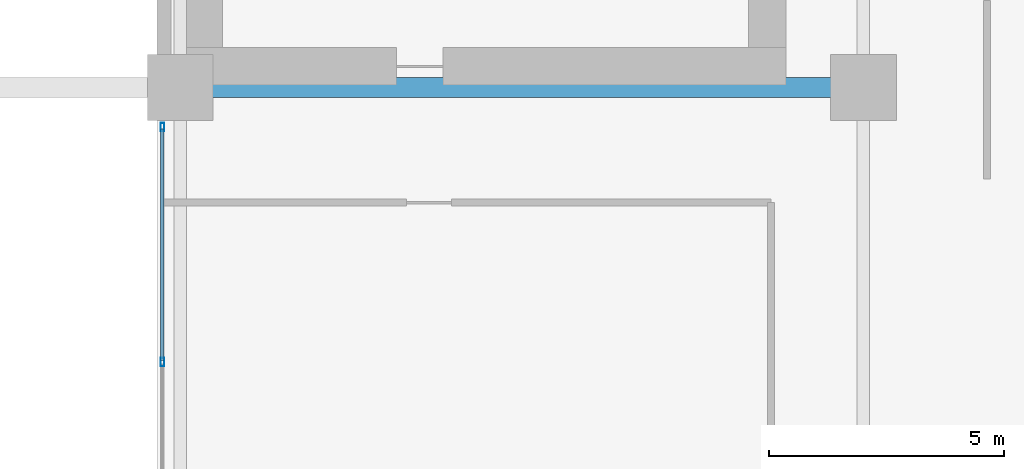
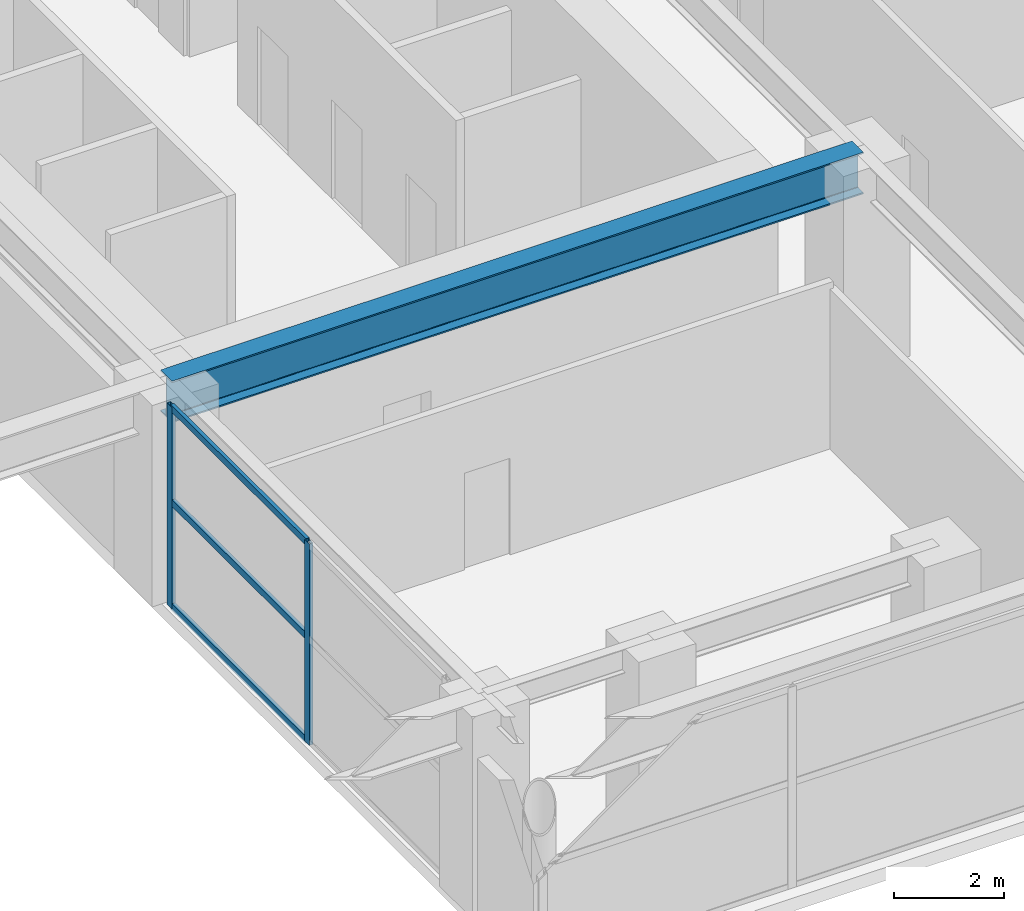
# One storey, part 11 of 30: 5 members, 1 beam, 1 element without a shape of its own.
"""IFC4 building model written with IfcOpenShell, lengths in metres."""

from ifc_helpers import new_model, si_unit, direction, frame, origin, origin_2d, place, context, subcontext, project, spatial, hollow_rectangle, i_section, extrude, source, transform, mapped, material, layer, layer_set, material_profile, profile_set, type_object, element, aggregate, save


model = new_model("IFC4")

# Units and contexts
model_context = context("Model", 3, precision=1e-05, world=origin(), true_north=direction((0.0, 1.0)))
body_context = subcontext(model_context, "Body", "Model", "MODEL_VIEW")
ifc_project = project(units=[si_unit("LENGTHUNIT", "METRE"), si_unit("AREAUNIT", "SQUARE_METRE"), si_unit("VOLUMEUNIT", "CUBIC_METRE"), si_unit("PLANEANGLEUNIT", "RADIAN"), si_unit("MASSUNIT", "GRAM", prefix="KILO")], contexts=[model_context])

# Site, building, storey
site_placement = place(None, origin())
site = spatial("IfcSite", under=ifc_project, at=site_placement, CompositionType="ELEMENT")
building_placement = place(site_placement, origin())
building = spatial("IfcBuilding", under=site, at=building_placement, Name="Ocotamira Hotel", CompositionType="ELEMENT")
storey_placement = place(building_placement, frame((0.0, 0.0, 19.199951171875)))
storey = spatial("IfcBuildingStorey", under=building, at=storey_placement, Name="L04", CompositionType="ELEMENT", Elevation=19.199951171875)

# Beam
ifc_material_1 = material(Name="Steel ASTM A992 Grade 50", Category="steel")
ifc_material_profile_1 = material_profile(ifc_material_1, i_section(OverallWidth=0.41796875, OverallDepth=0.927001953125, WebThickness=0.019287109375, FlangeThickness=0.031982421875, FilletRadius=0.02392578125, at=origin_2d()), Name="W36X231")
ifc_profile_set_1 = profile_set([ifc_material_profile_1], Name="Steel ASTM A992 Grade 50")
beam_type = type_object("IfcBeamType", Name="BM-GIRD-W36X231", PredefinedType="BEAM", material=ifc_profile_set_1)
shared_shape_1 = source(origin(), body_context, "Body", "SweptSolid", [
    extrude(i_section(OverallWidth=0.41796875, OverallDepth=0.927001953125, WebThickness=0.019287109375, FlangeThickness=0.031982421875, FilletRadius=0.02392578125, at=origin_2d()), origin(), (0.0, 0.0, 1.0), 14.550048828125),
])
beam_placement = place(storey_placement, frame((40.5, 14.550048828125, 4.0166015625), z_axis=(1.0, 0.0, 0.0), x_axis=(0.0, 1.0, 0.0)))
element("IfcBeam", 1, at=beam_placement, inside=storey, type_object=beam_type, Name="L04 Girder Y14.55 X40.5-55.05", PredefinedType="BEAM", context=body_context, shape_type="MappedRepresentation", body=[
    mapped(shared_shape_1, transform((0.0, 0.0, 0.0), scale=1.0)),
])

# Curtain wall, members
ifc_material_2 = material(Name="Anodised pale-metal aluminium and solar glass", Category="aluminium")
ifc_layer = layer(ifc_material_2, 0.219970703125)
ifc_layer_set = layer_set([ifc_layer], Name="Anodised pale-metal aluminium and solar glass")
curtain_wall_type = type_object("IfcCurtainWallType", Name="CW-SYS1-POD", PredefinedType="NOTDEFINED", material=ifc_layer_set)
curtain_wall_placement = place(storey_placement, origin())
curtain_wall = element("IfcCurtainWall", 2, at=curtain_wall_placement, inside=storey, type_object=curtain_wall_type, Name="L04 Curtain Wall CW-1 CW-L04-AE-S", PredefinedType="NOTDEFINED")
ifc_material_3 = material(Name="Anodised pale-metal aluminium 6063-T6", Category="aluminium")
ifc_material_profile_2 = material_profile(ifc_material_3, hollow_rectangle(XDim=0.074951171875, YDim=0.14990234375, WallThickness=0.006103515625, at=origin_2d()), Name="HSS150X75X6")
ifc_profile_set_2 = profile_set([ifc_material_profile_2], Name="Anodised pale-metal aluminium 6063-T6")
member_type_1 = type_object("IfcMemberType", Name="CWT-150X75", PredefinedType="USERDEFINED", material=ifc_profile_set_2)
shared_shape_2 = source(origin(), body_context, "Body", "SweptSolid", [
    extrude(hollow_rectangle(XDim=0.074951171875, YDim=0.14990234375, WallThickness=0.006103515625, at=origin_2d()), origin(), (0.0, 0.0, 1.0), 4.929931640625),
])
member_1_placement = place(storey_placement, frame((40.1201171875, 8.739990234375, 0.03759765625), z_axis=(0.0, 1.0, 0.0), x_axis=(-1.0, 0.0, 0.0)))
member_1 = element("IfcMember", 3, at=member_1_placement, type_object=member_type_1, Name="CW-1 transom 2.1", ObjectType="TRANSOM", PredefinedType="USERDEFINED", context=body_context, shape_type="MappedRepresentation", body=[
    mapped(shared_shape_2, transform((0.0, 0.0, 0.0), scale=1.0)),
])
member_2_placement = place(storey_placement, frame((40.1201171875, 8.739990234375, 2.35009765625), z_axis=(0.0, 1.0, 0.0), x_axis=(-1.0, 0.0, 0.0)))
member_2 = element("IfcMember", 4, at=member_2_placement, type_object=member_type_1, Name="CW-1 transom 2.2", ObjectType="TRANSOM", PredefinedType="USERDEFINED", context=body_context, shape_type="MappedRepresentation", body=[
    mapped(shared_shape_2, transform((0.0, 0.0, 0.0), scale=1.0)),
])
member_3_placement = place(storey_placement, frame((40.1201171875, 8.739990234375, 4.442626953125), z_axis=(0.0, 1.0, 0.0), x_axis=(-1.0, 0.0, 0.0)))
member_3 = element("IfcMember", 5, at=member_3_placement, type_object=member_type_1, Name="CW-1 transom 2.3", ObjectType="TRANSOM", PredefinedType="USERDEFINED", context=body_context, shape_type="MappedRepresentation", body=[
    mapped(shared_shape_2, transform((0.0, 0.0, 0.0), scale=1.0)),
])
ifc_material_profile_3 = material_profile(ifc_material_3, hollow_rectangle(XDim=0.080078125, YDim=0.179931640625, WallThickness=0.006103515625, at=origin_2d()), Name="HSS180X80X6")
ifc_profile_set_3 = profile_set([ifc_material_profile_3], Name="Anodised pale-metal aluminium 6063-T6")
member_type_2 = type_object("IfcMemberType", Name="CWM-180X75", PredefinedType="MULLION", material=ifc_profile_set_3)
shared_shape_3 = source(origin(), body_context, "Body", "SweptSolid", [
    extrude(hollow_rectangle(XDim=0.080078125, YDim=0.179931640625, WallThickness=0.006103515625, at=origin_2d()), origin(), (0.0, 0.0, 1.0), 4.47998046875),
])
member_4_placement = place(storey_placement, frame((40.1201171875, 8.699951171875, 0.0), z_axis=(0.0, 0.0, 1.0), x_axis=(-1.0, 0.0, 0.0)))
member_4 = element("IfcMember", 6, at=member_4_placement, type_object=member_type_2, Name="CW-1 mullion 2", PredefinedType="MULLION", context=body_context, shape_type="MappedRepresentation", body=[
    mapped(shared_shape_3, transform((0.0, 0.0, 0.0), scale=1.0)),
])
member_5_placement = place(storey_placement, frame((40.1201171875, 13.7099609375, 0.0), z_axis=(0.0, 0.0, 1.0), x_axis=(-1.0, 0.0, 0.0)))
member_5 = element("IfcMember", 7, at=member_5_placement, type_object=member_type_2, Name="CW-1 mullion 3", PredefinedType="MULLION", context=body_context, shape_type="MappedRepresentation", body=[
    mapped(shared_shape_3, transform((0.0, 0.0, 0.0), scale=1.0)),
])
aggregate(curtain_wall, [member_4, member_5, member_1, member_2, member_3])

save(model, "model.ifc")
